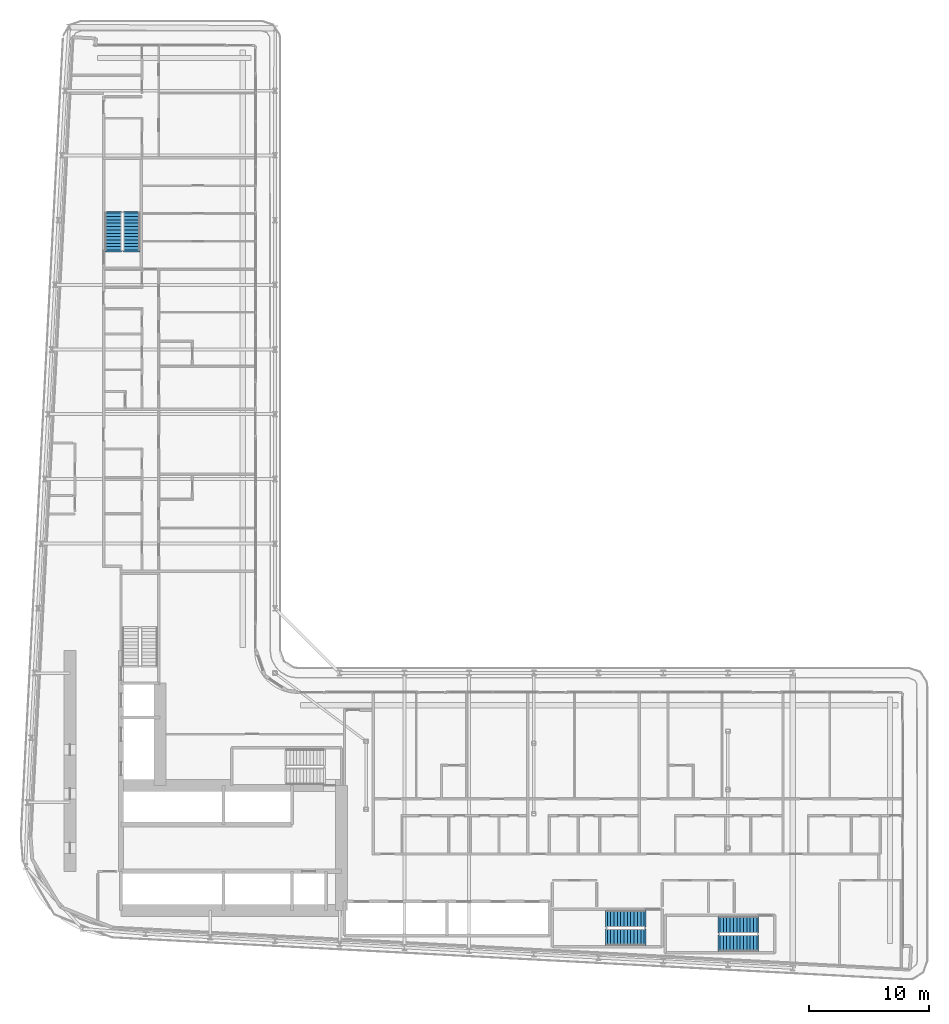
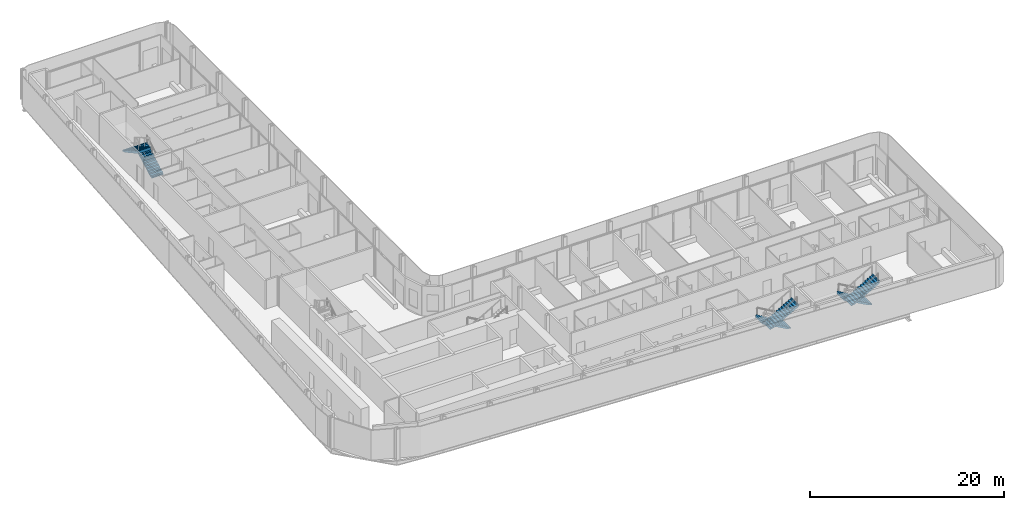
# One storey, part 20 of 27: 6 stair flights, 3 elements without a shape of their own.
"""IFC4 building model written with IfcOpenShell, lengths in metres."""

from ifc_helpers import new_model, si_unit, direction, frame, origin, place, context, subcontext, project, spatial, polyline, outline, extrude, material, layer, layer_set, type_object, element, aggregate, save


model = new_model("IFC4")

# Units and contexts
model_context = context("Model", 3, precision=1e-05, world=origin(), true_north=direction((0.0, 1.0)))
body_context = subcontext(model_context, "Body", "Model", "MODEL_VIEW")
ifc_project = project(units=[si_unit("LENGTHUNIT", "METRE"), si_unit("AREAUNIT", "SQUARE_METRE"), si_unit("VOLUMEUNIT", "CUBIC_METRE"), si_unit("PLANEANGLEUNIT", "RADIAN"), si_unit("MASSUNIT", "GRAM", prefix="KILO")], contexts=[model_context])

# Site, building, storey
site_placement = place(None, origin())
site = spatial("IfcSite", under=ifc_project, at=site_placement, CompositionType="ELEMENT")
building_placement = place(site_placement, origin())
building = spatial("IfcBuilding", under=site, at=building_placement, Name="Kheshtan School and Residences Tower", CompositionType="ELEMENT")
storey_placement = place(building_placement, frame((0.0, 0.0, 53.89990234375)))
storey = spatial("IfcBuildingStorey", under=building, at=storey_placement, Name="L12", CompositionType="ELEMENT", Elevation=53.89990234375)

# Stair, stair flights
ifc_material = material(Name="Concrete C40/50", Category="concrete")
stair_type = type_object("IfcStairType", Name="Exit stair, half-turn", PredefinedType="HALF_TURN_STAIR", material=ifc_material)
stair_1_placement = place(storey_placement, origin())
stair_1 = element("IfcStair", 1, at=stair_1_placement, inside=storey, type_object=stair_type, Name="L12 Protected Exit Stair ST3", PredefinedType="HALF_TURN_STAIR")
ifc_layer = layer(ifc_material, 0.14990234375)
ifc_layer_set = layer_set([ifc_layer], Name="Stair flight 1400 Concrete C40/50")
stair_flight_type = type_object("IfcStairFlightType", Name="Stair flight 1400 Concrete C40/50", PredefinedType="STRAIGHT", material=ifc_layer_set)
stair_flight_1_placement = place(storey_placement, frame((35.64990234375, 80.89990234375, 0.0), z_axis=(0.0, 0.0, 1.0), x_axis=(0.0, 1.0, 0.0)))
stair_flight_1 = element("IfcStairFlight", 2, at=stair_flight_1_placement, type_object=stair_flight_type, Name="ST3 flight 1", NumberOfRisers=12, NumberOfTreads=11, PredefinedType="STRAIGHT", RiserHeight=0.1625, TreadLength=0.28, context=body_context, shape_type="SweptSolid", body=[
    extrude(outline(polyline([(-0.14990234375, -0.10009765625), (-0.14990234375, 0.0), (0.0, 0.0), (0.0, 0.16259765625), (0.280029296875, 0.16259765625), (0.280029296875, 0.324951171875), (0.56005859375, 0.324951171875), (0.56005859375, 0.487548828125), (0.840087890625, 0.487548828125), (0.840087890625, 0.64990234375), (1.1201171875, 0.64990234375), (1.1201171875, 0.8125), (1.39990234375, 0.8125), (1.39990234375, 0.97509765625), (1.679931640625, 0.97509765625), (1.679931640625, 1.137451171875), (1.9599609375, 1.137451171875), (1.9599609375, 1.300048828125), (2.239990234375, 1.300048828125), (2.239990234375, 1.46240234375), (2.52001953125, 1.46240234375), (2.52001953125, 1.625), (2.800048828125, 1.625), (2.800048828125, 1.78759765625), (3.080078125, 1.78759765625), (3.080078125, 1.949951171875), (3.080078125, 1.969970703125), (3.22998046875, 1.969970703125), (3.22998046875, 1.6142578125), (0.298583984375, 0.0), (-0.14990234375, -0.10009765625)])), frame((0.0, 0.699951171875, 0.0), z_axis=(0.0, -1.0, 0.0), x_axis=(1.0, 0.0, 0.0)), (0.0, 0.0, 1.0), 1.39990234375),
])
stair_flight_2_placement = place(storey_placement, frame((34.10009765625, 83.97998046875, 1.9501953125), z_axis=(0.0, 0.0, 1.0), x_axis=(0.0, -1.0, 0.0)))
stair_flight_2 = element("IfcStairFlight", 3, at=stair_flight_2_placement, type_object=stair_flight_type, Name="ST3 flight 2", NumberOfRisers=12, NumberOfTreads=11, PredefinedType="STRAIGHT", RiserHeight=0.1625, TreadLength=0.28, context=body_context, shape_type="SweptSolid", body=[
    extrude(outline(polyline([(-0.14990234375, -0.10009765625), (-0.14990234375, 0.0), (0.0, 0.0), (0.0, 0.16259765625), (0.280029296875, 0.16259765625), (0.280029296875, 0.324951171875), (0.56005859375, 0.324951171875), (0.56005859375, 0.487548828125), (0.840087890625, 0.487548828125), (0.840087890625, 0.64990234375), (1.1201171875, 0.64990234375), (1.1201171875, 0.8125), (1.39990234375, 0.8125), (1.39990234375, 0.97509765625), (1.679931640625, 0.97509765625), (1.679931640625, 1.137451171875), (1.9599609375, 1.137451171875), (1.9599609375, 1.300048828125), (2.239990234375, 1.300048828125), (2.239990234375, 1.46240234375), (2.52001953125, 1.46240234375), (2.52001953125, 1.625), (2.800048828125, 1.625), (2.800048828125, 1.78759765625), (3.080078125, 1.78759765625), (3.080078125, 1.949951171875), (3.080078125, 1.969970703125), (3.22998046875, 1.969970703125), (3.22998046875, 1.6142578125), (0.298583984375, 0.0), (-0.14990234375, -0.10009765625)])), frame((0.0, 0.699951171875, 0.0), z_axis=(0.0, -1.0, 0.0), x_axis=(1.0, 0.0, 0.0)), (0.0, 0.0, 1.0), 1.39990234375),
])
aggregate(stair_1, [stair_flight_1, stair_flight_2])

stair_2_placement = place(storey_placement, origin())
stair_2 = element("IfcStair", 4, at=stair_2_placement, inside=storey, type_object=stair_type, Name="L12 Protected Exit Stair ST4", PredefinedType="HALF_TURN_STAIR")
stair_flight_3_placement = place(storey_placement, frame((87.820068359375, 24.60009765625, 0.0), z_axis=(0.0, 0.0, 1.0), x_axis=(-1.0, 0.0, 0.0)))
stair_flight_3 = element("IfcStairFlight", 5, at=stair_flight_3_placement, type_object=stair_flight_type, Name="ST4 flight 1", NumberOfRisers=12, NumberOfTreads=11, PredefinedType="STRAIGHT", RiserHeight=0.1625, TreadLength=0.28, context=body_context, shape_type="SweptSolid", body=[
    extrude(outline(polyline([(-0.14990234375, -0.10009765625), (-0.14990234375, 0.0), (0.0, 0.0), (0.0, 0.16259765625), (0.280029296875, 0.16259765625), (0.280029296875, 0.324951171875), (0.56005859375, 0.324951171875), (0.56005859375, 0.487548828125), (0.840087890625, 0.487548828125), (0.840087890625, 0.64990234375), (1.1201171875, 0.64990234375), (1.1201171875, 0.8125), (1.39990234375, 0.8125), (1.39990234375, 0.97509765625), (1.679931640625, 0.97509765625), (1.679931640625, 1.137451171875), (1.9599609375, 1.137451171875), (1.9599609375, 1.300048828125), (2.239990234375, 1.300048828125), (2.239990234375, 1.46240234375), (2.52001953125, 1.46240234375), (2.52001953125, 1.625), (2.800048828125, 1.625), (2.800048828125, 1.78759765625), (3.080078125, 1.78759765625), (3.080078125, 1.949951171875), (3.080078125, 1.969970703125), (3.22998046875, 1.969970703125), (3.22998046875, 1.6142578125), (0.298583984375, 0.0), (-0.14990234375, -0.10009765625)])), frame((0.0, 0.699951171875, 0.0), z_axis=(0.0, -1.0, 0.0), x_axis=(1.0, 0.0, 0.0)), (0.0, 0.0, 1.0), 1.39990234375),
])
stair_flight_4_placement = place(storey_placement, frame((84.739990234375, 23.050048828125, 1.9501953125), z_axis=(0.0, 0.0, 1.0), x_axis=(1.0, 0.0, 0.0)))
stair_flight_4 = element("IfcStairFlight", 6, at=stair_flight_4_placement, type_object=stair_flight_type, Name="ST4 flight 2", NumberOfRisers=12, NumberOfTreads=11, PredefinedType="STRAIGHT", RiserHeight=0.1625, TreadLength=0.28, context=body_context, shape_type="SweptSolid", body=[
    extrude(outline(polyline([(-0.14990234375, -0.10009765625), (-0.14990234375, 0.0), (0.0, 0.0), (0.0, 0.16259765625), (0.280029296875, 0.16259765625), (0.280029296875, 0.324951171875), (0.56005859375, 0.324951171875), (0.56005859375, 0.487548828125), (0.840087890625, 0.487548828125), (0.840087890625, 0.64990234375), (1.1201171875, 0.64990234375), (1.1201171875, 0.8125), (1.39990234375, 0.8125), (1.39990234375, 0.97509765625), (1.679931640625, 0.97509765625), (1.679931640625, 1.137451171875), (1.9599609375, 1.137451171875), (1.9599609375, 1.300048828125), (2.239990234375, 1.300048828125), (2.239990234375, 1.46240234375), (2.52001953125, 1.46240234375), (2.52001953125, 1.625), (2.800048828125, 1.625), (2.800048828125, 1.78759765625), (3.080078125, 1.78759765625), (3.080078125, 1.949951171875), (3.080078125, 1.969970703125), (3.22998046875, 1.969970703125), (3.22998046875, 1.6142578125), (0.298583984375, 0.0), (-0.14990234375, -0.10009765625)])), frame((0.0, 0.699951171875, 0.0), z_axis=(0.0, -1.0, 0.0), x_axis=(1.0, 0.0, 0.0)), (0.0, 0.0, 1.0), 1.39990234375),
])
aggregate(stair_2, [stair_flight_3, stair_flight_4])

stair_3_placement = place(storey_placement, origin())
stair_3 = element("IfcStair", 7, at=stair_3_placement, inside=storey, type_object=stair_type, Name="L12 Protected Exit Stair ST5", PredefinedType="HALF_TURN_STAIR")
stair_flight_5_placement = place(storey_placement, frame((78.409912109375, 25.10009765625, 0.0), z_axis=(0.0, 0.0, 1.0), x_axis=(-1.0, 0.0, 0.0)))
stair_flight_5 = element("IfcStairFlight", 8, at=stair_flight_5_placement, type_object=stair_flight_type, Name="ST5 flight 1", NumberOfRisers=12, NumberOfTreads=11, PredefinedType="STRAIGHT", RiserHeight=0.1625, TreadLength=0.28, context=body_context, shape_type="SweptSolid", body=[
    extrude(outline(polyline([(-0.14990234375, -0.10009765625), (-0.14990234375, 0.0), (0.0, 0.0), (0.0, 0.16259765625), (0.280029296875, 0.16259765625), (0.280029296875, 0.324951171875), (0.56005859375, 0.324951171875), (0.56005859375, 0.487548828125), (0.840087890625, 0.487548828125), (0.840087890625, 0.64990234375), (1.1201171875, 0.64990234375), (1.1201171875, 0.8125), (1.39990234375, 0.8125), (1.39990234375, 0.97509765625), (1.679931640625, 0.97509765625), (1.679931640625, 1.137451171875), (1.9599609375, 1.137451171875), (1.9599609375, 1.300048828125), (2.239990234375, 1.300048828125), (2.239990234375, 1.46240234375), (2.52001953125, 1.46240234375), (2.52001953125, 1.625), (2.800048828125, 1.625), (2.800048828125, 1.78759765625), (3.080078125, 1.78759765625), (3.080078125, 1.949951171875), (3.080078125, 1.969970703125), (3.22998046875, 1.969970703125), (3.22998046875, 1.6142578125), (0.298583984375, 0.0), (-0.14990234375, -0.10009765625)])), frame((0.0, 0.699951171875, 0.0), z_axis=(0.0, -1.0, 0.0), x_axis=(1.0, 0.0, 0.0)), (0.0, 0.0, 1.0), 1.39990234375),
])
stair_flight_6_placement = place(storey_placement, frame((75.330078125, 23.550048828125, 1.9501953125), z_axis=(0.0, 0.0, 1.0), x_axis=(1.0, 0.0, 0.0)))
stair_flight_6 = element("IfcStairFlight", 9, at=stair_flight_6_placement, type_object=stair_flight_type, Name="ST5 flight 2", NumberOfRisers=12, NumberOfTreads=11, PredefinedType="STRAIGHT", RiserHeight=0.1625, TreadLength=0.28, context=body_context, shape_type="SweptSolid", body=[
    extrude(outline(polyline([(-0.14990234375, -0.10009765625), (-0.14990234375, 0.0), (0.0, 0.0), (0.0, 0.16259765625), (0.280029296875, 0.16259765625), (0.280029296875, 0.324951171875), (0.56005859375, 0.324951171875), (0.56005859375, 0.487548828125), (0.840087890625, 0.487548828125), (0.840087890625, 0.64990234375), (1.1201171875, 0.64990234375), (1.1201171875, 0.8125), (1.39990234375, 0.8125), (1.39990234375, 0.97509765625), (1.679931640625, 0.97509765625), (1.679931640625, 1.137451171875), (1.9599609375, 1.137451171875), (1.9599609375, 1.300048828125), (2.239990234375, 1.300048828125), (2.239990234375, 1.46240234375), (2.52001953125, 1.46240234375), (2.52001953125, 1.625), (2.800048828125, 1.625), (2.800048828125, 1.78759765625), (3.080078125, 1.78759765625), (3.080078125, 1.949951171875), (3.080078125, 1.969970703125), (3.22998046875, 1.969970703125), (3.22998046875, 1.6142578125), (0.298583984375, 0.0), (-0.14990234375, -0.10009765625)])), frame((0.0, 0.699951171875, 0.0), z_axis=(0.0, -1.0, 0.0), x_axis=(1.0, 0.0, 0.0)), (0.0, 0.0, 1.0), 1.39990234375),
])
aggregate(stair_3, [stair_flight_5, stair_flight_6])

save(model, "model.ifc")
